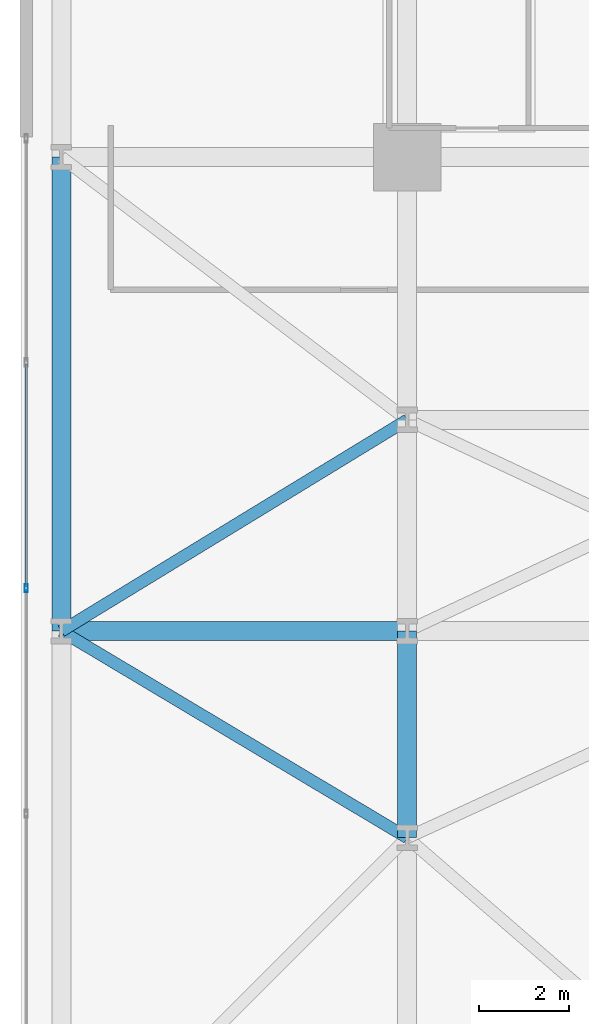
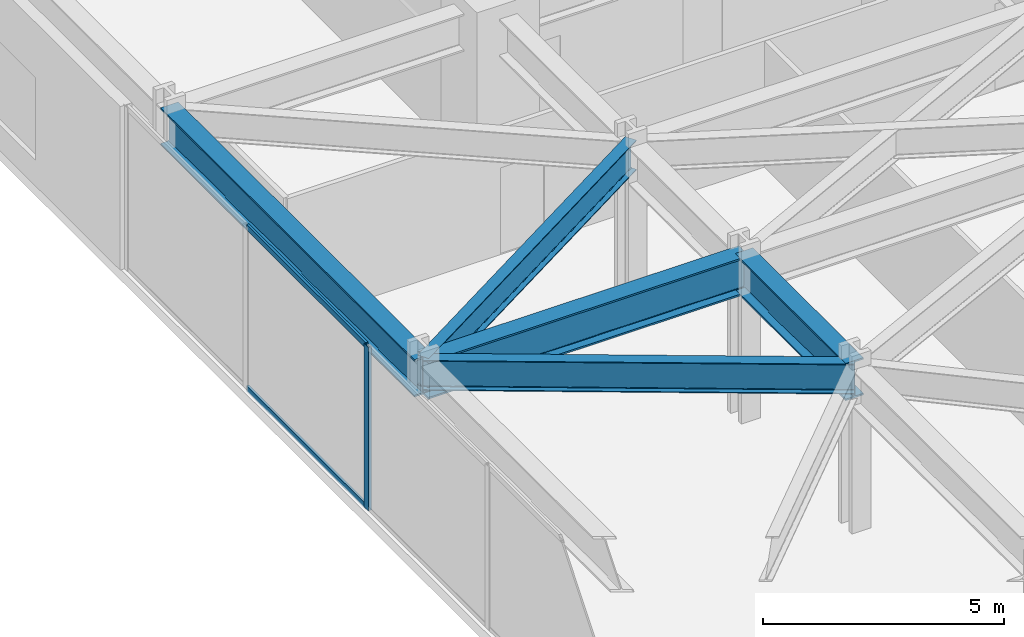
# One storey, part 10 of 30: 5 beams, 3 members, 1 element without a shape of its own.
"""IFC4 building model written with IfcOpenShell, lengths in metres."""

from ifc_helpers import new_model, si_unit, direction, frame, origin, origin_2d, place, context, subcontext, project, spatial, hollow_rectangle, i_section, extrude, material, layer, layer_set, material_profile, profile_set, type_object, element, aggregate, save


model = new_model("IFC4")

# Units and contexts
model_context = context("Model", 3, precision=1e-05, world=origin(), true_north=direction((0.0, 1.0)))
body_context = subcontext(model_context, "Body", "Model", "MODEL_VIEW")
ifc_project = project(units=[si_unit("LENGTHUNIT", "METRE"), si_unit("AREAUNIT", "SQUARE_METRE"), si_unit("VOLUMEUNIT", "CUBIC_METRE"), si_unit("PLANEANGLEUNIT", "RADIAN"), si_unit("MASSUNIT", "GRAM", prefix="KILO")], contexts=[model_context])

# Site, building, storey
site_placement = place(None, origin())
site = spatial("IfcSite", under=ifc_project, at=site_placement, CompositionType="ELEMENT")
building_placement = place(site_placement, origin())
building = spatial("IfcBuilding", under=site, at=building_placement, Name="Kravanh Interchange Tower", CompositionType="ELEMENT")
storey_placement = place(building_placement, frame((0.0, 0.0, 19.800048828125)))
storey = spatial("IfcBuildingStorey", under=building, at=storey_placement, Name="L04", CompositionType="ELEMENT", Elevation=19.800048828125)

# Curtain wall, members
ifc_material_1 = material(Name="Anodised Bronze Aluminium", Category="aluminium")
ifc_layer = layer(ifc_material_1, 0.179931640625)
ifc_layer_set = layer_set([ifc_layer], Name="Unitised Curtain Wall System CW-POD Podium Concourse")
curtain_wall_type = type_object("IfcCurtainWallType", Name="Unitised Curtain Wall System CW-POD Podium Concourse", PredefinedType="NOTDEFINED", material=ifc_layer_set)
curtain_wall_placement = place(storey_placement, origin())
curtain_wall = element("IfcCurtainWall", 1, at=curtain_wall_placement, inside=storey, type_object=curtain_wall_type, Name="L04 Unitised Curtain Wall CW-L04-01", PredefinedType="NOTDEFINED")
ifc_material_2 = material(Name="Anodised Bronze Aluminium", Category="aluminium")
ifc_material_profile_1 = material_profile(ifc_material_2, hollow_rectangle(XDim=0.070068359375, YDim=0.179931640625, WallThickness=0.00390625, at=origin_2d()), Name="ALU70X180X4")
ifc_profile_set_1 = profile_set([ifc_material_profile_1], Name="Anodised Bronze Aluminium")
member_type_1 = type_object("IfcMemberType", Name="Curtain Wall Mullion ALU70X180X4 Bronze", PredefinedType="MULLION", material=ifc_profile_set_1)
member_1_placement = place(storey_placement, frame((0.1201171875, 27.757080078125, 0.0), z_axis=(0.0, 0.0, 1.0), x_axis=(-1.0, 0.0, 0.0)))
member_1 = element("IfcMember", 2, at=member_1_placement, type_object=member_type_1, Name="CW-POD mullion 6", PredefinedType="MULLION", context=body_context, shape_type="SweptSolid", body=[
    extrude(hollow_rectangle(XDim=0.070068359375, YDim=0.179931640625, WallThickness=0.00390625, at=origin_2d()), origin(), (0.0, 0.0, 1.0), 4.14990234375),
])
ifc_material_3 = material(Name="Anodised Bronze Aluminium", Category="aluminium")
ifc_material_profile_2 = material_profile(ifc_material_3, hollow_rectangle(XDim=0.06005859375, YDim=0.139892578125, WallThickness=0.00390625, at=origin_2d()), Name="ALU60X140X4")
ifc_profile_set_2 = profile_set([ifc_material_profile_2], Name="Anodised Bronze Aluminium")
member_type_2 = type_object("IfcMemberType", Name="Curtain Wall Transom ALU60X140X4 Bronze", PredefinedType="USERDEFINED", material=ifc_profile_set_2)
member_2_placement = place(storey_placement, frame((0.1201171875, 27.7919921875, 0.030029296875), z_axis=(0.0, 1.0, 0.0), x_axis=(-1.0, 0.0, 0.0)))
member_2 = element("IfcMember", 3, at=member_2_placement, type_object=member_type_2, Name="CW-POD transom 6.1", ObjectType="TRANSOM", PredefinedType="USERDEFINED", context=body_context, shape_type="SweptSolid", body=[
    extrude(hollow_rectangle(XDim=0.06005859375, YDim=0.139892578125, WallThickness=0.00390625, at=origin_2d()), origin(), (0.0, 0.0, 1.0), 4.951416015625),
])
member_3_placement = place(storey_placement, frame((0.1201171875, 27.7919921875, 4.119873046875), z_axis=(0.0, 1.0, 0.0), x_axis=(-1.0, 0.0, 0.0)))
member_3 = element("IfcMember", 4, at=member_3_placement, type_object=member_type_2, Name="CW-POD transom 6.2", ObjectType="TRANSOM", PredefinedType="USERDEFINED", context=body_context, shape_type="SweptSolid", body=[
    extrude(hollow_rectangle(XDim=0.06005859375, YDim=0.139892578125, WallThickness=0.00390625, at=origin_2d()), origin(), (0.0, 0.0, 1.0), 4.951416015625),
])
aggregate(curtain_wall, [member_1, member_2, member_3])

# Beams
ifc_material_4 = material(Name="Structural Steel S450", Category="steel")
ifc_material_profile_3 = material_profile(ifc_material_4, i_section(OverallWidth=0.423095703125, OverallDepth=0.947998046875, WebThickness=0.02392578125, FlangeThickness=0.042724609375, FilletRadius=0.028076171875, at=origin_2d()), Name="W36X302")
ifc_profile_set_3 = profile_set([ifc_material_profile_3], Name="Structural Steel S450")
beam_type_1 = type_object("IfcBeamType", Name="Floor Beam W36X302 Structural Steel S450", PredefinedType="BEAM", material=ifc_profile_set_3)
beam_1_placement = place(storey_placement, frame((8.60009765625, 22.199951171875, 3.676025390625), z_axis=(0.0, 1.0, 0.0), x_axis=(-1.0, 0.0, 0.0)))
element("IfcBeam", 5, at=beam_1_placement, inside=storey, type_object=beam_type_1, Name="L04 Primary Floor Girder 57", PredefinedType="BEAM", context=body_context, shape_type="SweptSolid", body=[
    extrude(i_section(OverallWidth=0.423095703125, OverallDepth=0.947998046875, WebThickness=0.02392578125, FlangeThickness=0.042724609375, FilletRadius=0.028076171875, at=origin_2d()), origin(), (0.0, 0.0, 1.0), 4.60009765625),
])
beam_2_placement = place(storey_placement, frame((8.60009765625, 26.800048828125, 3.676025390625), z_axis=(-1.0, 0.0, 0.0), x_axis=(0.0, -1.0, 0.0)))
element("IfcBeam", 6, at=beam_2_placement, inside=storey, type_object=beam_type_1, Name="L04 Primary Floor Girder 74", PredefinedType="BEAM", context=body_context, shape_type="SweptSolid", body=[
    extrude(i_section(OverallWidth=0.423095703125, OverallDepth=0.947998046875, WebThickness=0.02392578125, FlangeThickness=0.042724609375, FilletRadius=0.028076171875, at=origin_2d()), origin(), (0.0, 0.0, 1.0), 7.7001953125),
])
beam_3_placement = place(storey_placement, frame((0.89990234375, 26.800048828125, 3.676025390625), z_axis=(0.0, 1.0, 0.0), x_axis=(-1.0, 0.0, 0.0)))
element("IfcBeam", 7, at=beam_3_placement, inside=storey, type_object=beam_type_1, Name="L04 Primary Floor Girder 124", PredefinedType="BEAM", context=body_context, shape_type="SweptSolid", body=[
    extrude(i_section(OverallWidth=0.423095703125, OverallDepth=0.947998046875, WebThickness=0.02392578125, FlangeThickness=0.042724609375, FilletRadius=0.028076171875, at=origin_2d()), origin(), (0.0, 0.0, 1.0), 10.550048828125),
])
ifc_material_5 = material(Name="Structural Steel S355", Category="steel")
ifc_material_profile_4 = material_profile(ifc_material_5, i_section(OverallWidth=0.26708984375, OverallDepth=0.761962890625, WebThickness=0.014404296875, FlangeThickness=0.021484375, FilletRadius=0.02490234375, at=origin_2d()), Name="W30X116")
ifc_profile_set_4 = profile_set([ifc_material_profile_4], Name="Structural Steel S355")
beam_type_2 = type_object("IfcBeamType", Name="Floor Spandrel W30X116 Structural Steel S355", PredefinedType="SPANDREL", material=ifc_profile_set_4)
beam_4_placement = place(storey_placement, frame((8.60009765625, 22.199951171875, 3.76904296875), z_axis=(-0.858476029739, 0.512853689041, 0.0), x_axis=(-0.512853689041, -0.858476029739, 0.0)))
element("IfcBeam", 8, at=beam_4_placement, inside=storey, type_object=beam_type_2, Name="L04 Perimeter Spandrel 58", PredefinedType="SPANDREL", context=body_context, shape_type="SweptSolid", body=[
    extrude(i_section(OverallWidth=0.26708984375, OverallDepth=0.761962890625, WebThickness=0.014404296875, FlangeThickness=0.021484375, FilletRadius=0.02490234375, at=origin_2d()), origin(), (0.0, 0.0, 1.0), 8.9697265625),
])
beam_5_placement = place(storey_placement, frame((8.60009765625, 31.5, 3.76904296875), z_axis=(-0.85356401423, -0.520987978375, 0.0), x_axis=(0.520987978375, -0.85356401423, 0.0)))
element("IfcBeam", 9, at=beam_5_placement, inside=storey, type_object=beam_type_2, Name="L04 Perimeter Spandrel 105", PredefinedType="SPANDREL", context=body_context, shape_type="SweptSolid", body=[
    extrude(i_section(OverallWidth=0.26708984375, OverallDepth=0.761962890625, WebThickness=0.014404296875, FlangeThickness=0.021484375, FilletRadius=0.02490234375, at=origin_2d()), origin(), (0.0, 0.0, 1.0), 9.021240234375),
])

save(model, "model.ifc")
